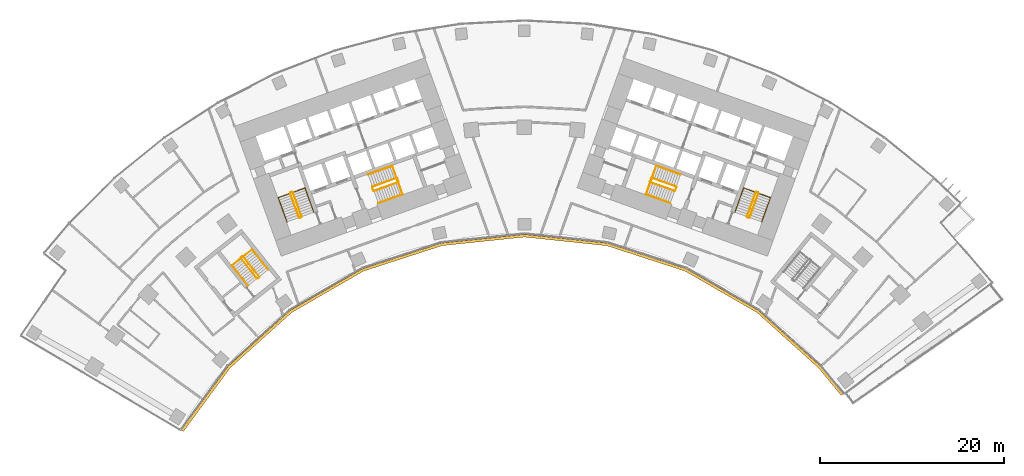
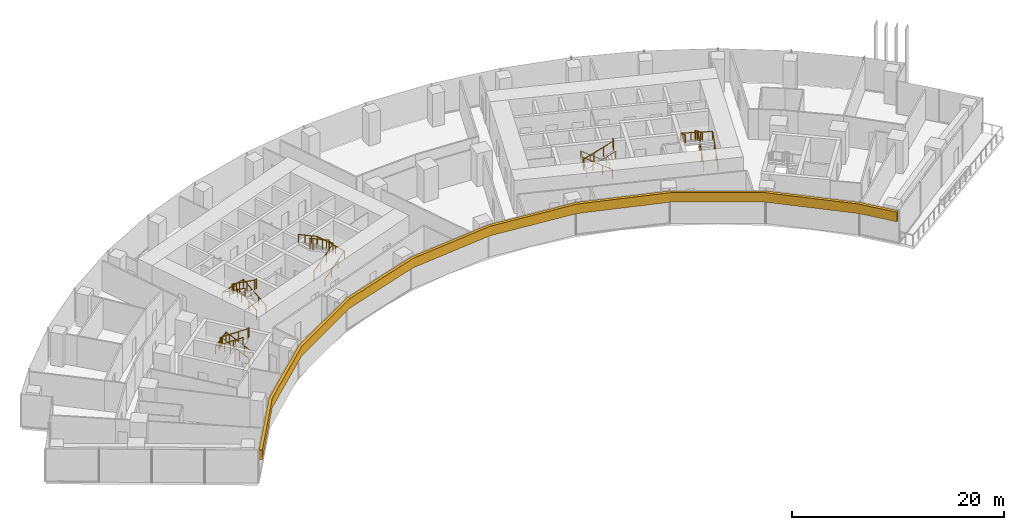
# One storey, part 20 of 21: 15 railings, 1 covering.
"""IFC4 building model written with IfcOpenShell, lengths in metres."""

from ifc_helpers import new_model, si_unit, direction, frame, origin, origin_2d, place, context, subcontext, project, spatial, polyline, circle, outline, extrude, material, layer, layer_set, type_object, element, save


model = new_model("IFC4")

# Units and contexts
model_context = context("Model", 3, precision=1e-05, world=origin(), true_north=direction((0.0, 1.0)))
body_context = subcontext(model_context, "Body", "Model", "MODEL_VIEW")
ifc_project = project(units=[si_unit("LENGTHUNIT", "METRE"), si_unit("AREAUNIT", "SQUARE_METRE"), si_unit("VOLUMEUNIT", "CUBIC_METRE"), si_unit("PLANEANGLEUNIT", "RADIAN"), si_unit("MASSUNIT", "GRAM", prefix="KILO")], contexts=[model_context])

# Site, building, storey
site_placement = place(None, origin())
site = spatial("IfcSite", under=ifc_project, at=site_placement, CompositionType="ELEMENT")
building_placement = place(site_placement, origin())
building = spatial("IfcBuilding", under=site, at=building_placement, Name="Stone Belt Terrace Tower", CompositionType="ELEMENT")
storey_placement = place(building_placement, frame((0.0, 0.0, 68.0)))
storey = spatial("IfcBuildingStorey", under=building, at=storey_placement, Name="L16", CompositionType="ELEMENT", Elevation=68.0)

# Railings
ifc_material_1 = material(Name="Structural steel C345", Category="steel")
railing_type_1 = type_object("IfcRailingType", Name="Stair guard 1100", PredefinedType="GUARDRAIL", material=ifc_material_1)
railing_1_placement = place(storey_placement, frame((-24.2119140625, 45.276123046875, 0.172607421875)))
element("IfcRailing", 1, at=railing_1_placement, inside=storey, type_object=railing_type_1, Name="L16 ST1A stair guard 1", PredefinedType="GUARDRAIL", context=body_context, shape_type="SweptSolid", body=[
    extrude(circle(Radius=0.02392578125, at=origin_2d()), frame((0.0, 0.0, 1.076171875), z_axis=(-0.288228637646, 0.800791768495, 0.525030280985), x_axis=(-0.940908529223, -0.338660803216, 0.0)), (0.0, 0.0, 1.0), 3.289794921875),
    extrude(circle(Radius=0.02392578125, at=origin_2d()), frame((-0.9482421875, 2.634521484375, 2.80322265625), z_axis=(-0.905209821074, 0.424964916, 0.0), x_axis=(-0.424964916, -0.905209821074, 0.0)), (0.0, 0.0, 1.0), 0.070556640625),
    extrude(circle(Radius=0.02392578125, at=origin_2d()), frame((-1.01220703125, 2.66455078125, 2.80322265625), z_axis=(-0.941105063269, -0.338114270461, 0.0), x_axis=(0.338114270461, -0.941105063269, 0.0)), (0.0, 0.0, 1.0), 0.199951171875),
    extrude(circle(Radius=0.02099609375, at=origin_2d()), origin(), (0.0, 0.0, 1.0), 1.052001953125),
    extrude(circle(Radius=0.02099609375, at=origin_2d()), frame((-0.316162109375, 0.878173828125, 0.57568359375)), (0.0, 0.0, 1.0), 1.052001953125),
    extrude(circle(Radius=0.02099609375, at=origin_2d()), frame((-0.632080078125, 1.75634765625, 1.151611328125)), (0.0, 0.0, 1.0), 1.052001953125),
    extrude(circle(Radius=0.02099609375, at=origin_2d()), frame((-0.9482421875, 2.634521484375, 1.727294921875)), (0.0, 0.0, 1.0), 1.052001953125),
    extrude(circle(Radius=0.02099609375, at=origin_2d()), frame((-1.01220703125, 2.66455078125, 1.727294921875)), (0.0, 0.0, 1.0), 1.052001953125),
    extrude(circle(Radius=0.02099609375, at=origin_2d()), frame((-1.200439453125, 2.596923828125, 1.727294921875)), (0.0, 0.0, 1.0), 1.052001953125),
])
railing_2_placement = place(storey_placement, frame((-25.4423828125, 47.80908203125, 2.07275390625)))
element("IfcRailing", 2, at=railing_2_placement, inside=storey, type_object=railing_type_1, Name="L16 ST1A stair guard 2", PredefinedType="GUARDRAIL", context=body_context, shape_type="SweptSolid", body=[
    extrude(circle(Radius=0.02392578125, at=origin_2d()), frame((0.0, 0.0, 1.076171875), z_axis=(0.288228637646, -0.800791768495, 0.525030280985), x_axis=(0.940908529223, 0.338660803216, 0.0)), (0.0, 0.0, 1.0), 3.289794921875),
    extrude(circle(Radius=0.02392578125, at=origin_2d()), frame((0.9482421875, -2.634521484375, 2.80322265625), z_axis=(0.903878284585, -0.427789722475, 0.0), x_axis=(0.427789722475, 0.903878284585, 0.0)), (0.0, 0.0, 1.0), 0.07080078125),
    extrude(circle(Radius=0.02392578125, at=origin_2d()), frame((1.01220703125, -2.664794921875, 2.80322265625), z_axis=(0.940575576748, 0.339584429008, 0.0), x_axis=(-0.339584429008, 0.940575576748, 0.0)), (0.0, 0.0, 1.0), 0.199951171875),
    extrude(circle(Radius=0.02099609375, at=origin_2d()), origin(), (0.0, 0.0, 1.0), 1.052001953125),
    extrude(circle(Radius=0.02099609375, at=origin_2d()), frame((0.316162109375, -0.878173828125, 0.57568359375)), (0.0, 0.0, 1.0), 1.052001953125),
    extrude(circle(Radius=0.02099609375, at=origin_2d()), frame((0.632080078125, -1.75634765625, 1.151611328125)), (0.0, 0.0, 1.0), 1.052001953125),
    extrude(circle(Radius=0.02099609375, at=origin_2d()), frame((0.9482421875, -2.634521484375, 1.727294921875)), (0.0, 0.0, 1.0), 1.052001953125),
    extrude(circle(Radius=0.02099609375, at=origin_2d()), frame((1.01220703125, -2.664794921875, 1.727294921875)), (0.0, 0.0, 1.0), 1.052001953125),
    extrude(circle(Radius=0.02099609375, at=origin_2d()), frame((1.2001953125, -2.596923828125, 1.727294921875)), (0.0, 0.0, 1.0), 1.052001953125),
])
railing_3_placement = place(storey_placement, frame((-16.33837890625, 48.056640625, 0.172607421875)))
element("IfcRailing", 3, at=railing_3_placement, inside=storey, type_object=railing_type_1, Name="L16 ST2A stair guard 1", PredefinedType="GUARDRAIL", context=body_context, shape_type="SweptSolid", body=[
    extrude(circle(Radius=0.02392578125, at=origin_2d()), frame((0.0, 0.0, 1.076171875), z_axis=(0.800808895155, 0.288160591223, 0.52504150989), x_axis=(-0.338583606334, 0.940936311087, 0.0)), (0.0, 0.0, 1.0), 3.289794921875),
    extrude(circle(Radius=0.02392578125, at=origin_2d()), frame((2.634521484375, 0.947998046875, 2.80322265625), z_axis=(0.427789722475, 0.903878284585, 0.0), x_axis=(-0.903878284585, 0.427789722475, 0.0)), (0.0, 0.0, 1.0), 0.07080078125),
    extrude(circle(Radius=0.02392578125, at=origin_2d()), frame((2.664794921875, 1.011962890625, 2.80322265625), z_axis=(-0.338654645739, 0.940910745459, 0.0), x_axis=(-0.940910745459, -0.338654645739, 0.0)), (0.0, 0.0, 1.0), 0.400146484375),
    extrude(circle(Radius=0.02099609375, at=origin_2d()), origin(), (0.0, 0.0, 1.0), 1.052001953125),
    extrude(circle(Radius=0.02099609375, at=origin_2d()), frame((0.878173828125, 0.31591796875, 0.57568359375)), (0.0, 0.0, 1.0), 1.052001953125),
    extrude(circle(Radius=0.02099609375, at=origin_2d()), frame((1.75634765625, 0.632080078125, 1.151611328125)), (0.0, 0.0, 1.0), 1.052001953125),
    extrude(circle(Radius=0.02099609375, at=origin_2d()), frame((2.634521484375, 0.947998046875, 1.727294921875)), (0.0, 0.0, 1.0), 1.052001953125),
    extrude(circle(Radius=0.02099609375, at=origin_2d()), frame((2.664794921875, 1.011962890625, 1.727294921875)), (0.0, 0.0, 1.0), 1.052001953125),
    extrude(circle(Radius=0.02099609375, at=origin_2d()), frame((2.529296875, 1.388427734375, 1.727294921875)), (0.0, 0.0, 1.0), 1.052001953125),
])
railing_4_placement = place(storey_placement, frame((-13.873046875, 49.47509765625, 2.07275390625)))
element("IfcRailing", 4, at=railing_4_placement, inside=storey, type_object=railing_type_1, Name="L16 ST2A stair guard 2", PredefinedType="GUARDRAIL", context=body_context, shape_type="SweptSolid", body=[
    extrude(circle(Radius=0.02392578125, at=origin_2d()), frame((0.0, 0.0, 1.076171875), z_axis=(-0.800808895155, -0.288160591223, 0.52504150989), x_axis=(0.338583606334, -0.940936311087, 0.0)), (0.0, 0.0, 1.0), 3.289794921875),
    extrude(circle(Radius=0.02392578125, at=origin_2d()), frame((-2.634521484375, -0.947998046875, 2.80322265625), z_axis=(-0.427789722475, -0.903878284585, 0.0), x_axis=(0.903878284585, -0.427789722475, 0.0)), (0.0, 0.0, 1.0), 0.07080078125),
    extrude(circle(Radius=0.02392578125, at=origin_2d()), frame((-2.664794921875, -1.011962890625, 2.80322265625), z_axis=(0.338654645739, -0.940910745459, 0.0), x_axis=(0.940910745459, 0.338654645739, 0.0)), (0.0, 0.0, 1.0), 0.400146484375),
    extrude(circle(Radius=0.02099609375, at=origin_2d()), origin(), (0.0, 0.0, 1.0), 1.052001953125),
    extrude(circle(Radius=0.02099609375, at=origin_2d()), frame((-0.878173828125, -0.31591796875, 0.57568359375)), (0.0, 0.0, 1.0), 1.052001953125),
    extrude(circle(Radius=0.02099609375, at=origin_2d()), frame((-1.75634765625, -0.632080078125, 1.151611328125)), (0.0, 0.0, 1.0), 1.052001953125),
    extrude(circle(Radius=0.02099609375, at=origin_2d()), frame((-2.634521484375, -0.947998046875, 1.727294921875)), (0.0, 0.0, 1.0), 1.052001953125),
    extrude(circle(Radius=0.02099609375, at=origin_2d()), frame((-2.664794921875, -1.011962890625, 1.727294921875)), (0.0, 0.0, 1.0), 1.052001953125),
    extrude(circle(Radius=0.02099609375, at=origin_2d()), frame((-2.529296875, -1.388427734375, 1.727294921875)), (0.0, 0.0, 1.0), 1.052001953125),
])
railing_5_placement = place(storey_placement, frame((24.494140625, 45.174560546875, 0.172607421875)))
element("IfcRailing", 5, at=railing_5_placement, inside=storey, type_object=railing_type_1, Name="L16 ST1B stair guard 1", PredefinedType="GUARDRAIL", context=body_context, shape_type="SweptSolid", body=[
    extrude(circle(Radius=0.02392578125, at=origin_2d()), frame((0.0, 0.0, 1.076171875), z_axis=(0.288228637646, 0.800791768495, 0.525030280985), x_axis=(-0.940908529223, 0.338660803216, 0.0)), (0.0, 0.0, 1.0), 3.289794921875),
    extrude(circle(Radius=0.02392578125, at=origin_2d()), frame((0.9482421875, 2.634521484375, 2.80322265625), z_axis=(-0.424964916, 0.905209821074, 0.0), x_axis=(-0.905209821074, -0.424964916, 0.0)), (0.0, 0.0, 1.0), 0.070556640625),
    extrude(circle(Radius=0.02392578125, at=origin_2d()), frame((0.918212890625, 2.698486328125, 2.80322265625), z_axis=(-0.941105063269, 0.338114270461, 0.0), x_axis=(-0.338114270461, -0.941105063269, 0.0)), (0.0, 0.0, 1.0), 0.199951171875),
    extrude(circle(Radius=0.02099609375, at=origin_2d()), origin(), (0.0, 0.0, 1.0), 1.052001953125),
    extrude(circle(Radius=0.02099609375, at=origin_2d()), frame((0.316162109375, 0.878173828125, 0.57568359375)), (0.0, 0.0, 1.0), 1.052001953125),
    extrude(circle(Radius=0.02099609375, at=origin_2d()), frame((0.632080078125, 1.75634765625, 1.151611328125)), (0.0, 0.0, 1.0), 1.052001953125),
    extrude(circle(Radius=0.02099609375, at=origin_2d()), frame((0.9482421875, 2.634521484375, 1.727294921875)), (0.0, 0.0, 1.0), 1.052001953125),
    extrude(circle(Radius=0.02099609375, at=origin_2d()), frame((0.918212890625, 2.698486328125, 1.727294921875)), (0.0, 0.0, 1.0), 1.052001953125),
    extrude(circle(Radius=0.02099609375, at=origin_2d()), frame((0.72998046875, 2.76611328125, 1.727294921875)), (0.0, 0.0, 1.0), 1.052001953125),
])
railing_6_placement = place(storey_placement, frame((25.16015625, 47.91064453125, 2.07275390625)))
element("IfcRailing", 6, at=railing_6_placement, inside=storey, type_object=railing_type_1, Name="L16 ST1B stair guard 2", PredefinedType="GUARDRAIL", context=body_context, shape_type="SweptSolid", body=[
    extrude(circle(Radius=0.02392578125, at=origin_2d()), frame((0.0, 0.0, 1.076171875), z_axis=(-0.288228637646, -0.800791768495, 0.525030280985), x_axis=(0.940908529223, -0.338660803216, 0.0)), (0.0, 0.0, 1.0), 3.289794921875),
    extrude(circle(Radius=0.02392578125, at=origin_2d()), frame((-0.9482421875, -2.634521484375, 2.80322265625), z_axis=(0.427789722475, -0.903878284585, 0.0), x_axis=(0.903878284585, 0.427789722475, 0.0)), (0.0, 0.0, 1.0), 0.07080078125),
    extrude(circle(Radius=0.02392578125, at=origin_2d()), frame((-0.91796875, -2.698486328125, 2.80322265625), z_axis=(0.940575576748, -0.339584429008, 0.0), x_axis=(0.339584429008, 0.940575576748, 0.0)), (0.0, 0.0, 1.0), 0.199951171875),
    extrude(circle(Radius=0.02099609375, at=origin_2d()), origin(), (0.0, 0.0, 1.0), 1.052001953125),
    extrude(circle(Radius=0.02099609375, at=origin_2d()), frame((-0.316162109375, -0.878173828125, 0.57568359375)), (0.0, 0.0, 1.0), 1.052001953125),
    extrude(circle(Radius=0.02099609375, at=origin_2d()), frame((-0.632080078125, -1.75634765625, 1.151611328125)), (0.0, 0.0, 1.0), 1.052001953125),
    extrude(circle(Radius=0.02099609375, at=origin_2d()), frame((-0.9482421875, -2.634521484375, 1.727294921875)), (0.0, 0.0, 1.0), 1.052001953125),
    extrude(circle(Radius=0.02099609375, at=origin_2d()), frame((-0.91796875, -2.698486328125, 1.727294921875)), (0.0, 0.0, 1.0), 1.052001953125),
    extrude(circle(Radius=0.02099609375, at=origin_2d()), frame((-0.72998046875, -2.766357421875, 1.727294921875)), (0.0, 0.0, 1.0), 1.052001953125),
])
railing_7_placement = place(storey_placement, frame((16.507568359375, 48.527099609375, 0.172607421875)))
element("IfcRailing", 7, at=railing_7_placement, inside=storey, type_object=railing_type_1, Name="L16 ST2B stair guard 1", PredefinedType="GUARDRAIL", context=body_context, shape_type="SweptSolid", body=[
    extrude(circle(Radius=0.02392578125, at=origin_2d()), frame((0.0, 0.0, 1.076171875), z_axis=(-0.800808895155, 0.288160591223, 0.52504150989), x_axis=(-0.338583606334, -0.940936311087, 0.0)), (0.0, 0.0, 1.0), 3.289794921875),
    extrude(circle(Radius=0.02392578125, at=origin_2d()), frame((-2.634521484375, 0.947998046875, 2.80322265625), z_axis=(-0.905209821074, -0.424964916, 0.0), x_axis=(0.424964916, -0.905209821074, 0.0)), (0.0, 0.0, 1.0), 0.070556640625),
    extrude(circle(Radius=0.02392578125, at=origin_2d()), frame((-2.698486328125, 0.91796875, 2.80322265625), z_axis=(-0.338654645739, -0.940910745459, 0.0), x_axis=(0.940910745459, -0.338654645739, 0.0)), (0.0, 0.0, 1.0), 0.400146484375),
    extrude(circle(Radius=0.02099609375, at=origin_2d()), origin(), (0.0, 0.0, 1.0), 1.052001953125),
    extrude(circle(Radius=0.02099609375, at=origin_2d()), frame((-0.878173828125, 0.31591796875, 0.57568359375)), (0.0, 0.0, 1.0), 1.052001953125),
    extrude(circle(Radius=0.02099609375, at=origin_2d()), frame((-1.75634765625, 0.632080078125, 1.151611328125)), (0.0, 0.0, 1.0), 1.052001953125),
    extrude(circle(Radius=0.02099609375, at=origin_2d()), frame((-2.634521484375, 0.947998046875, 1.727294921875)), (0.0, 0.0, 1.0), 1.052001953125),
    extrude(circle(Radius=0.02099609375, at=origin_2d()), frame((-2.698486328125, 0.91796875, 1.727294921875)), (0.0, 0.0, 1.0), 1.052001953125),
    extrude(circle(Radius=0.02099609375, at=origin_2d()), frame((-2.833984375, 0.54150390625, 1.727294921875)), (0.0, 0.0, 1.0), 1.052001953125),
])
railing_8_placement = place(storey_placement, frame((13.703857421875, 49.004638671875, 2.07275390625)))
element("IfcRailing", 8, at=railing_8_placement, inside=storey, type_object=railing_type_1, Name="L16 ST2B stair guard 2", PredefinedType="GUARDRAIL", context=body_context, shape_type="SweptSolid", body=[
    extrude(circle(Radius=0.02392578125, at=origin_2d()), frame((0.0, 0.0, 1.076171875), z_axis=(0.800808895155, -0.288160591223, 0.52504150989), x_axis=(0.338583606334, 0.940936311087, 0.0)), (0.0, 0.0, 1.0), 3.289794921875),
    extrude(circle(Radius=0.02392578125, at=origin_2d()), frame((2.634521484375, -0.947998046875, 2.80322265625), z_axis=(0.905209821074, 0.424964916, 0.0), x_axis=(-0.424964916, 0.905209821074, 0.0)), (0.0, 0.0, 1.0), 0.070556640625),
    extrude(circle(Radius=0.02392578125, at=origin_2d()), frame((2.698486328125, -0.91796875, 2.80322265625), z_axis=(0.338654645739, 0.940910745459, 0.0), x_axis=(-0.940910745459, 0.338654645739, 0.0)), (0.0, 0.0, 1.0), 0.400146484375),
    extrude(circle(Radius=0.02099609375, at=origin_2d()), origin(), (0.0, 0.0, 1.0), 1.052001953125),
    extrude(circle(Radius=0.02099609375, at=origin_2d()), frame((0.878173828125, -0.31591796875, 0.57568359375)), (0.0, 0.0, 1.0), 1.052001953125),
    extrude(circle(Radius=0.02099609375, at=origin_2d()), frame((1.75634765625, -0.632080078125, 1.151611328125)), (0.0, 0.0, 1.0), 1.052001953125),
    extrude(circle(Radius=0.02099609375, at=origin_2d()), frame((2.634521484375, -0.947998046875, 1.727294921875)), (0.0, 0.0, 1.0), 1.052001953125),
    extrude(circle(Radius=0.02099609375, at=origin_2d()), frame((2.698486328125, -0.91796875, 1.727294921875)), (0.0, 0.0, 1.0), 1.052001953125),
    extrude(circle(Radius=0.02099609375, at=origin_2d()), frame((2.833984375, -0.54150390625, 1.727294921875)), (0.0, 0.0, 1.0), 1.052001953125),
])
railing_9_placement = place(storey_placement, frame((-28.814208984375, 38.734619140625, 0.172607421875)))
element("IfcRailing", 9, at=railing_9_placement, inside=storey, type_object=railing_type_1, Name="L16 ST3A stair guard 1", PredefinedType="GUARDRAIL", context=body_context, shape_type="SweptSolid", body=[
    extrude(circle(Radius=0.02392578125, at=origin_2d()), frame((0.0, 0.0, 1.076171875), z_axis=(-0.530306321799, 0.665665785969, 0.525037395288), x_axis=(-0.782143211408, -0.623098705543, 0.0)), (0.0, 0.0, 1.0), 3.289794921875),
    extrude(circle(Radius=0.02392578125, at=origin_2d()), frame((-1.74462890625, 2.18994140625, 2.80322265625), z_axis=(-0.993883734674, 0.110431526075, 0.0), x_axis=(-0.110431526075, -0.993883734674, 0.0)), (0.0, 0.0, 1.0), 0.07080078125),
    extrude(circle(Radius=0.02392578125, at=origin_2d()), frame((-1.81494140625, 2.19775390625, 2.80322265625), z_axis=(-0.782533463299, -0.622608527742, 0.0), x_axis=(0.622608527742, -0.782533463299, 0.0)), (0.0, 0.0, 1.0), 0.199951171875),
    extrude(circle(Radius=0.02099609375, at=origin_2d()), origin(), (0.0, 0.0, 1.0), 1.052001953125),
    extrude(circle(Radius=0.02099609375, at=origin_2d()), frame((-0.58154296875, 0.72998046875, 0.57568359375)), (0.0, 0.0, 1.0), 1.052001953125),
    extrude(circle(Radius=0.02099609375, at=origin_2d()), frame((-1.1630859375, 1.4599609375, 1.151611328125)), (0.0, 0.0, 1.0), 1.052001953125),
    extrude(circle(Radius=0.02099609375, at=origin_2d()), frame((-1.74462890625, 2.18994140625, 1.727294921875)), (0.0, 0.0, 1.0), 1.052001953125),
    extrude(circle(Radius=0.02099609375, at=origin_2d()), frame((-1.81494140625, 2.19775390625, 1.727294921875)), (0.0, 0.0, 1.0), 1.052001953125),
    extrude(circle(Radius=0.02099609375, at=origin_2d()), frame((-1.971435546875, 2.0732421875, 1.727294921875)), (0.0, 0.0, 1.0), 1.052001953125),
])
railing_10_placement = place(storey_placement, frame((-30.793701171875, 40.737548828125, 2.07275390625)))
element("IfcRailing", 10, at=railing_10_placement, inside=storey, type_object=railing_type_1, Name="L16 ST3A stair guard 2", PredefinedType="GUARDRAIL", context=body_context, shape_type="SweptSolid", body=[
    extrude(circle(Radius=0.02392578125, at=origin_2d()), frame((0.0, 0.0, 1.076171875), z_axis=(0.530359659125, -0.665639588968, 0.525016732659), x_axis=(0.782100716982, 0.62315204284, 0.0)), (0.0, 0.0, 1.0), 3.2900390625),
    extrude(circle(Radius=0.02392578125, at=origin_2d()), frame((1.744873046875, -2.18994140625, 2.80322265625), z_axis=(0.993499272973, -0.113838458361, 0.0), x_axis=(0.113838458361, 0.993499272973, 0.0)), (0.0, 0.0, 1.0), 0.07080078125),
    extrude(circle(Radius=0.02392578125, at=origin_2d()), frame((1.815185546875, -2.197998046875, 2.80322265625), z_axis=(0.781464082609, 0.623950228458, 0.0), x_axis=(-0.623950228458, 0.781464082609, 0.0)), (0.0, 0.0, 1.0), 0.199951171875),
    extrude(circle(Radius=0.02099609375, at=origin_2d()), origin(), (0.0, 0.0, 1.0), 1.052001953125),
    extrude(circle(Radius=0.02099609375, at=origin_2d()), frame((0.58154296875, -0.72998046875, 0.57568359375)), (0.0, 0.0, 1.0), 1.052001953125),
    extrude(circle(Radius=0.02099609375, at=origin_2d()), frame((1.163330078125, -1.4599609375, 1.151611328125)), (0.0, 0.0, 1.0), 1.052001953125),
    extrude(circle(Radius=0.02099609375, at=origin_2d()), frame((1.744873046875, -2.18994140625, 1.727294921875)), (0.0, 0.0, 1.0), 1.052001953125),
    extrude(circle(Radius=0.02099609375, at=origin_2d()), frame((1.815185546875, -2.197998046875, 1.727294921875)), (0.0, 0.0, 1.0), 1.052001953125),
    extrude(circle(Radius=0.02099609375, at=origin_2d()), frame((1.971435546875, -2.0732421875, 1.727294921875)), (0.0, 0.0, 1.0), 1.052001953125),
])
railing_type_2 = type_object("IfcRailingType", Name="Stair handrail 900", PredefinedType="HANDRAIL", material=ifc_material_1)
railing_11_placement = place(storey_placement, frame((-22.894775390625, 45.750244140625, 0.172607421875)))
element("IfcRailing", 11, at=railing_11_placement, inside=storey, type_object=railing_type_2, Name="L16 ST1A stair handrail 1", PredefinedType="HANDRAIL", context=body_context, shape_type="SweptSolid", body=[
    extrude(circle(Radius=0.02392578125, at=origin_2d()), frame((0.0, 0.0, 0.8759765625), z_axis=(-0.288160591223, 0.800808895155, 0.52504150989), x_axis=(-0.940936311087, -0.338583606334, 0.0)), (0.0, 0.0, 1.0), 3.289794921875),
    extrude(circle(Radius=0.02392578125, at=origin_2d()), frame((-0.947998046875, 2.634521484375, 2.60302734375), z_axis=(-0.939460408074, -0.338105101667, 0.055669398135), x_axis=(0.338630230244, -0.940919532779, 0.0)), (0.0, 0.0, 1.0), 3.10498046875),
    extrude(circle(Radius=0.02392578125, at=origin_2d()), frame((-3.864990234375, 1.584716796875, 2.77587890625), z_axis=(0.288228637646, -0.800791768495, 0.525030280985), x_axis=(0.940908529223, 0.338660803216, 0.0)), (0.0, 0.0, 1.0), 3.289794921875),
    extrude(circle(Radius=0.02099609375, at=origin_2d()), origin(), (0.0, 0.0, 1.0), 0.851806640625),
    extrude(circle(Radius=0.02099609375, at=origin_2d()), frame((-0.31591796875, 0.878173828125, 0.57568359375)), (0.0, 0.0, 1.0), 0.851806640625),
    extrude(circle(Radius=0.02099609375, at=origin_2d()), frame((-0.632080078125, 1.75634765625, 1.151611328125)), (0.0, 0.0, 1.0), 0.851806640625),
    extrude(circle(Radius=0.02099609375, at=origin_2d()), frame((-0.947998046875, 2.634521484375, 1.727294921875)), (0.0, 0.0, 1.0), 0.851806640625),
    extrude(circle(Radius=0.02099609375, at=origin_2d()), frame((-1.92041015625, 2.28466796875, 1.784912109375)), (0.0, 0.0, 1.0), 0.851806640625),
    extrude(circle(Radius=0.02099609375, at=origin_2d()), frame((-2.892578125, 1.9345703125, 1.842529296875)), (0.0, 0.0, 1.0), 0.851806640625),
    extrude(circle(Radius=0.02099609375, at=origin_2d()), frame((-3.864990234375, 1.584716796875, 1.900146484375)), (0.0, 0.0, 1.0), 0.851806640625),
    extrude(circle(Radius=0.02099609375, at=origin_2d()), frame((-3.548828125, 0.70654296875, 2.475830078125)), (0.0, 0.0, 1.0), 0.851806640625),
    extrude(circle(Radius=0.02099609375, at=origin_2d()), frame((-3.23291015625, -0.171630859375, 3.0517578125)), (0.0, 0.0, 1.0), 0.851806640625),
    extrude(circle(Radius=0.02099609375, at=origin_2d()), frame((-2.916748046875, -1.0498046875, 3.62744140625)), (0.0, 0.0, 1.0), 0.851806640625),
])
railing_12_placement = place(storey_placement, frame((-15.8642578125, 46.7392578125, 0.172607421875)))
element("IfcRailing", 12, at=railing_12_placement, inside=storey, type_object=railing_type_2, Name="L16 ST2A stair handrail 1", PredefinedType="HANDRAIL", context=body_context, shape_type="SweptSolid", body=[
    extrude(circle(Radius=0.02392578125, at=origin_2d()), frame((0.0, 0.0, 0.8759765625), z_axis=(0.800791768495, 0.288228637646, 0.525030280985), x_axis=(-0.338660803216, 0.940908529223, 0.0)), (0.0, 0.0, 1.0), 3.289794921875),
    extrude(circle(Radius=0.02392578125, at=origin_2d()), frame((2.634521484375, 0.9482421875, 2.60302734375), z_axis=(-0.338158948057, 0.939634149308, 0.052308615955), x_axis=(-0.940922302781, -0.338622533404, 0.0)), (0.0, 0.0, 1.0), 3.304443359375),
    extrude(circle(Radius=0.02392578125, at=origin_2d()), frame((1.51708984375, 4.05322265625, 2.77587890625), z_axis=(-0.800791768495, -0.288228637646, 0.525030280985), x_axis=(0.338660803216, -0.940908529223, 0.0)), (0.0, 0.0, 1.0), 3.289794921875),
    extrude(circle(Radius=0.02099609375, at=origin_2d()), origin(), (0.0, 0.0, 1.0), 0.851806640625),
    extrude(circle(Radius=0.02099609375, at=origin_2d()), frame((0.878173828125, 0.316162109375, 0.57568359375)), (0.0, 0.0, 1.0), 0.851806640625),
    extrude(circle(Radius=0.02099609375, at=origin_2d()), frame((1.75634765625, 0.632080078125, 1.151611328125)), (0.0, 0.0, 1.0), 0.851806640625),
    extrude(circle(Radius=0.02099609375, at=origin_2d()), frame((2.634521484375, 0.9482421875, 1.727294921875)), (0.0, 0.0, 1.0), 0.851806640625),
    extrude(circle(Radius=0.02099609375, at=origin_2d()), frame((2.261962890625, 1.983154296875, 1.784912109375)), (0.0, 0.0, 1.0), 0.851806640625),
    extrude(circle(Radius=0.02099609375, at=origin_2d()), frame((1.8896484375, 3.018310546875, 1.842529296875)), (0.0, 0.0, 1.0), 0.851806640625),
    extrude(circle(Radius=0.02099609375, at=origin_2d()), frame((1.51708984375, 4.05322265625, 1.900146484375)), (0.0, 0.0, 1.0), 0.851806640625),
    extrude(circle(Radius=0.02099609375, at=origin_2d()), frame((0.638916015625, 3.737060546875, 2.475830078125)), (0.0, 0.0, 1.0), 0.851806640625),
    extrude(circle(Radius=0.02099609375, at=origin_2d()), frame((-0.2392578125, 3.421142578125, 3.0517578125)), (0.0, 0.0, 1.0), 0.851806640625),
    extrude(circle(Radius=0.02099609375, at=origin_2d()), frame((-1.117431640625, 3.10498046875, 3.62744140625)), (0.0, 0.0, 1.0), 0.851806640625),
])
railing_13_placement = place(storey_placement, frame((25.8115234375, 44.700439453125, 0.172607421875)))
element("IfcRailing", 13, at=railing_13_placement, inside=storey, type_object=railing_type_2, Name="L16 ST1B stair handrail 1", PredefinedType="HANDRAIL", context=body_context, shape_type="SweptSolid", body=[
    extrude(circle(Radius=0.02392578125, at=origin_2d()), frame((0.0, 0.0, 0.8759765625), z_axis=(0.288228637646, 0.800791768495, 0.525030280985), x_axis=(-0.940908529223, 0.338660803216, 0.0)), (0.0, 0.0, 1.0), 3.289794921875),
    extrude(circle(Radius=0.02392578125, at=origin_2d()), frame((0.9482421875, 2.634521484375, 2.60302734375), z_axis=(-0.939460408074, 0.338105101667, 0.055669398135), x_axis=(-0.338630230244, -0.940919532779, 0.0)), (0.0, 0.0, 1.0), 3.10498046875),
    extrude(circle(Radius=0.02392578125, at=origin_2d()), frame((-1.96875, 3.684326171875, 2.77587890625), z_axis=(-0.288160591223, -0.800808895155, 0.52504150989), x_axis=(0.940936311087, -0.338583606334, 0.0)), (0.0, 0.0, 1.0), 3.289794921875),
    extrude(circle(Radius=0.02099609375, at=origin_2d()), origin(), (0.0, 0.0, 1.0), 0.851806640625),
    extrude(circle(Radius=0.02099609375, at=origin_2d()), frame((0.316162109375, 0.878173828125, 0.57568359375)), (0.0, 0.0, 1.0), 0.851806640625),
    extrude(circle(Radius=0.02099609375, at=origin_2d()), frame((0.632080078125, 1.75634765625, 1.151611328125)), (0.0, 0.0, 1.0), 0.851806640625),
    extrude(circle(Radius=0.02099609375, at=origin_2d()), frame((0.9482421875, 2.634521484375, 1.727294921875)), (0.0, 0.0, 1.0), 0.851806640625),
    extrude(circle(Radius=0.02099609375, at=origin_2d()), frame((-0.024169921875, 2.984375, 1.784912109375)), (0.0, 0.0, 1.0), 0.851806640625),
    extrude(circle(Radius=0.02099609375, at=origin_2d()), frame((-0.996337890625, 3.33447265625, 1.842529296875)), (0.0, 0.0, 1.0), 0.851806640625),
    extrude(circle(Radius=0.02099609375, at=origin_2d()), frame((-1.96875, 3.684326171875, 1.900146484375)), (0.0, 0.0, 1.0), 0.851806640625),
    extrude(circle(Radius=0.02099609375, at=origin_2d()), frame((-2.28466796875, 2.80615234375, 2.475830078125)), (0.0, 0.0, 1.0), 0.851806640625),
    extrude(circle(Radius=0.02099609375, at=origin_2d()), frame((-2.600830078125, 1.927978515625, 3.0517578125)), (0.0, 0.0, 1.0), 0.851806640625),
    extrude(circle(Radius=0.02099609375, at=origin_2d()), frame((-2.916748046875, 1.0498046875, 3.62744140625)), (0.0, 0.0, 1.0), 0.851806640625),
])
railing_14_placement = place(storey_placement, frame((16.981689453125, 49.84423828125, 0.172607421875)))
element("IfcRailing", 14, at=railing_14_placement, inside=storey, type_object=railing_type_2, Name="L16 ST2B stair handrail 1", PredefinedType="HANDRAIL", context=body_context, shape_type="SweptSolid", body=[
    extrude(circle(Radius=0.02392578125, at=origin_2d()), frame((0.0, 0.0, 0.8759765625), z_axis=(-0.800791768495, 0.288228637646, 0.525030280985), x_axis=(-0.338660803216, -0.940908529223, 0.0)), (0.0, 0.0, 1.0), 3.289794921875),
    extrude(circle(Radius=0.02392578125, at=origin_2d()), frame((-2.634521484375, 0.9482421875, 2.60302734375), z_axis=(-0.338158948057, -0.939634149308, 0.052308615955), x_axis=(0.940922302781, -0.338622533404, 0.0)), (0.0, 0.0, 1.0), 3.304443359375),
    extrude(circle(Radius=0.02392578125, at=origin_2d()), frame((-3.751953125, -2.15673828125, 2.77587890625), z_axis=(0.800791768495, -0.288228637646, 0.525030280985), x_axis=(0.338660803216, 0.940908529223, 0.0)), (0.0, 0.0, 1.0), 3.289794921875),
    extrude(circle(Radius=0.02099609375, at=origin_2d()), origin(), (0.0, 0.0, 1.0), 0.851806640625),
    extrude(circle(Radius=0.02099609375, at=origin_2d()), frame((-0.878173828125, 0.316162109375, 0.57568359375)), (0.0, 0.0, 1.0), 0.851806640625),
    extrude(circle(Radius=0.02099609375, at=origin_2d()), frame((-1.75634765625, 0.632080078125, 1.151611328125)), (0.0, 0.0, 1.0), 0.851806640625),
    extrude(circle(Radius=0.02099609375, at=origin_2d()), frame((-2.634521484375, 0.9482421875, 1.727294921875)), (0.0, 0.0, 1.0), 0.851806640625),
    extrude(circle(Radius=0.02099609375, at=origin_2d()), frame((-3.007080078125, -0.086669921875, 1.784912109375)), (0.0, 0.0, 1.0), 0.851806640625),
    extrude(circle(Radius=0.02099609375, at=origin_2d()), frame((-3.37939453125, -1.121826171875, 1.842529296875)), (0.0, 0.0, 1.0), 0.851806640625),
    extrude(circle(Radius=0.02099609375, at=origin_2d()), frame((-3.751953125, -2.15673828125, 1.900146484375)), (0.0, 0.0, 1.0), 0.851806640625),
    extrude(circle(Radius=0.02099609375, at=origin_2d()), frame((-2.873779296875, -2.472900390625, 2.475830078125)), (0.0, 0.0, 1.0), 0.851806640625),
    extrude(circle(Radius=0.02099609375, at=origin_2d()), frame((-1.99560546875, -2.788818359375, 3.0517578125)), (0.0, 0.0, 1.0), 0.851806640625),
    extrude(circle(Radius=0.02099609375, at=origin_2d()), frame((-1.117431640625, -3.10498046875, 3.62744140625)), (0.0, 0.0, 1.0), 0.851806640625),
])
railing_15_placement = place(storey_placement, frame((-27.836669921875, 39.513427734375, 0.172607421875)))
element("IfcRailing", 15, at=railing_15_placement, inside=storey, type_object=railing_type_2, Name="L16 ST3A stair handrail 1", PredefinedType="HANDRAIL", context=body_context, shape_type="SweptSolid", body=[
    extrude(circle(Radius=0.02392578125, at=origin_2d()), frame((0.0, 0.0, 0.8759765625), z_axis=(-0.530306321799, 0.665665785969, 0.525037395288), x_axis=(-0.782143211408, -0.623098705543, 0.0)), (0.0, 0.0, 1.0), 3.289794921875),
    extrude(circle(Radius=0.02392578125, at=origin_2d()), frame((-1.74462890625, 2.18994140625, 2.60302734375), z_axis=(-0.78065703189, -0.621914732429, 0.061617076765), x_axis=(0.623098705543, -0.782143211408, 0.0)), (0.0, 0.0, 1.0), 2.80517578125),
    extrude(circle(Radius=0.02392578125, at=origin_2d()), frame((-3.9345703125, 0.4453125, 2.77587890625), z_axis=(0.530306321799, -0.665665785969, 0.525037395288), x_axis=(0.782143211408, 0.623098705543, 0.0)), (0.0, 0.0, 1.0), 3.289794921875),
    extrude(circle(Radius=0.02099609375, at=origin_2d()), origin(), (0.0, 0.0, 1.0), 0.851806640625),
    extrude(circle(Radius=0.02099609375, at=origin_2d()), frame((-0.58154296875, 0.72998046875, 0.57568359375)), (0.0, 0.0, 1.0), 0.851806640625),
    extrude(circle(Radius=0.02099609375, at=origin_2d()), frame((-1.1630859375, 1.4599609375, 1.151611328125)), (0.0, 0.0, 1.0), 0.851806640625),
    extrude(circle(Radius=0.02099609375, at=origin_2d()), frame((-1.74462890625, 2.18994140625, 1.727294921875)), (0.0, 0.0, 1.0), 0.851806640625),
    extrude(circle(Radius=0.02099609375, at=origin_2d()), frame((-2.474609375, 1.6083984375, 1.784912109375)), (0.0, 0.0, 1.0), 0.851806640625),
    extrude(circle(Radius=0.02099609375, at=origin_2d()), frame((-3.20458984375, 1.02685546875, 1.842529296875)), (0.0, 0.0, 1.0), 0.851806640625),
    extrude(circle(Radius=0.02099609375, at=origin_2d()), frame((-3.9345703125, 0.4453125, 1.900146484375)), (0.0, 0.0, 1.0), 0.851806640625),
    extrude(circle(Radius=0.02099609375, at=origin_2d()), frame((-3.35302734375, -0.28466796875, 2.475830078125)), (0.0, 0.0, 1.0), 0.851806640625),
    extrude(circle(Radius=0.02099609375, at=origin_2d()), frame((-2.771484375, -1.0146484375, 3.0517578125)), (0.0, 0.0, 1.0), 0.851806640625),
    extrude(circle(Radius=0.02099609375, at=origin_2d()), frame((-2.18994140625, -1.74462890625, 3.62744140625)), (0.0, 0.0, 1.0), 0.851806640625),
])

# Covering
ifc_material_2 = material(Name="Terracotta coloured glazed ceramic", Category="masonry")
ifc_layer = layer(ifc_material_2, 0.300048828125)
ifc_layer_set = layer_set([ifc_layer], Name="Terracotta spandrel band 300 x 1100")
covering_type = type_object("IfcCoveringType", Name="Terracotta spandrel band 300 x 1100", PredefinedType="CLADDING", material=ifc_layer_set)
covering_placement = place(storey_placement, frame((0.0, 0.0, 2.699951171875)))
element("IfcCovering", 16, at=covering_placement, inside=storey, type_object=covering_type, Name="BAND L16", PredefinedType="CLADDING", context=body_context, shape_type="SweptSolid", body=[
    extrude(outline(polyline([(-37.3134765625, 22.068115234375), (-32.215087890625, 29.006103515625), (-25.47998046875, 35.0703125), (-17.631591796875, 39.6015625), (-9.0126953125, 42.40185546875), (0.0, 43.34912109375), (9.0126953125, 42.40185546875), (17.631591796875, 39.6015625), (25.47998046875, 35.0703125), (32.218017578125, 29.003173828125), (34.68359375, 26.005615234375), (34.451904296875, 25.81494140625), (32.000732421875, 28.79541015625), (25.302734375, 34.826171875), (17.509033203125, 39.325927734375), (8.9501953125, 42.10693359375), (0.0, 43.047607421875), (-8.9501953125, 42.10693359375), (-17.509033203125, 39.325927734375), (-25.302734375, 34.826171875), (-31.991455078125, 28.8037109375), (-37.071533203125, 21.890380859375), (-37.3134765625, 22.068115234375)])), origin(), (0.0, 0.0, 1.0), 1.10009765625),
])

save(model, "model.ifc")
